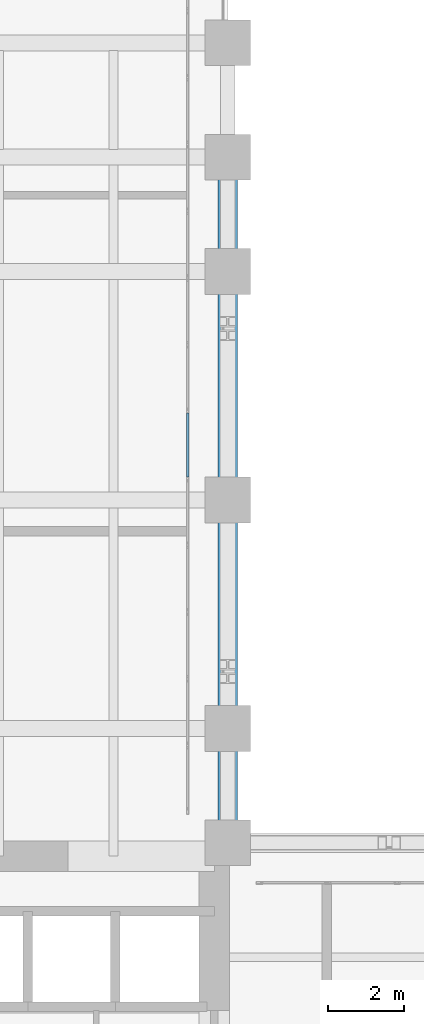
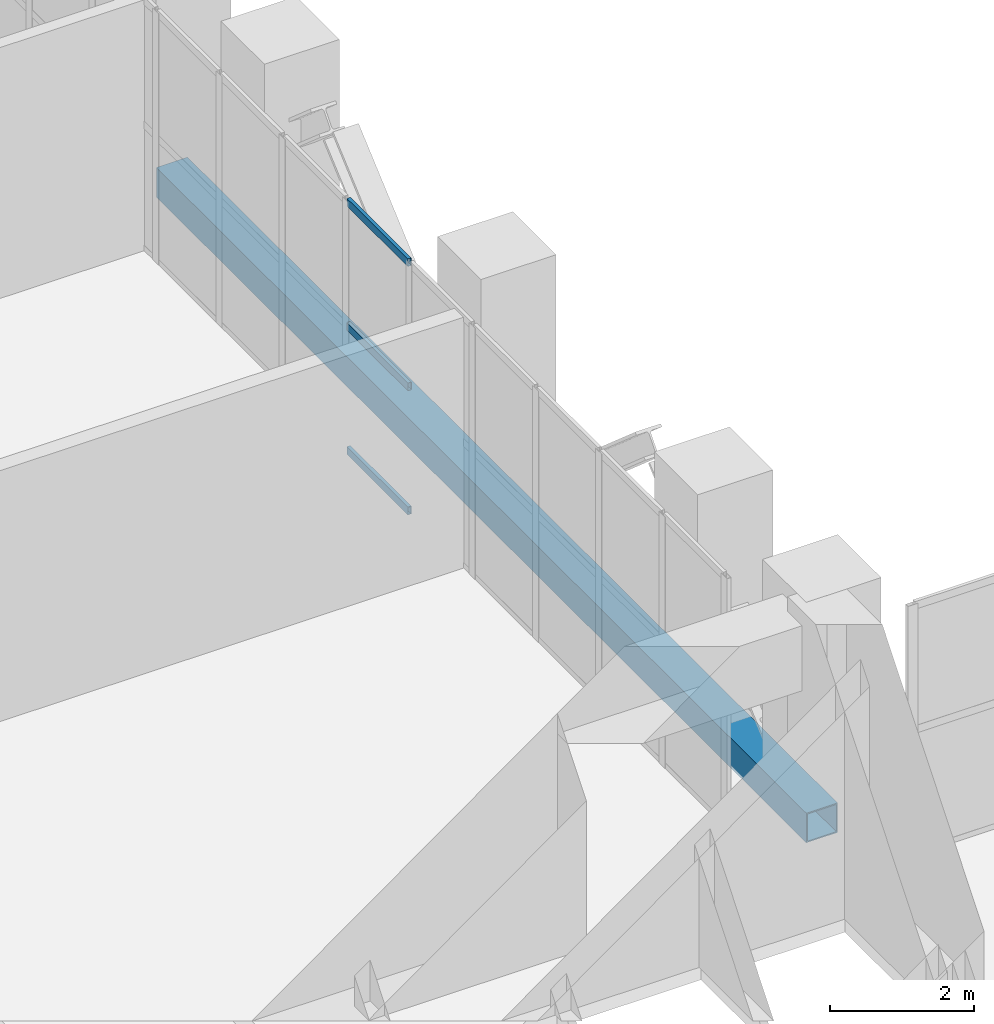
# One storey, part 10 of 27: 4 members, 1 element without a shape of its own.
"""IFC4 building model written with IfcOpenShell, lengths in metres."""

from ifc_helpers import new_model, si_unit, direction, frame, origin, origin_2d, place, context, subcontext, project, spatial, hollow_rectangle, extrude, material, layer, layer_set, material_profile, profile_set, type_object, element, aggregate, save


model = new_model("IFC4")

# Units and contexts
model_context = context("Model", 3, precision=1e-05, world=origin(), true_north=direction((0.0, 1.0)))
body_context = subcontext(model_context, "Body", "Model", "MODEL_VIEW")
ifc_project = project(units=[si_unit("LENGTHUNIT", "METRE"), si_unit("AREAUNIT", "SQUARE_METRE"), si_unit("VOLUMEUNIT", "CUBIC_METRE"), si_unit("PLANEANGLEUNIT", "RADIAN"), si_unit("MASSUNIT", "GRAM", prefix="KILO")], contexts=[model_context])

# Site, building, storey
site_placement = place(None, origin())
site = spatial("IfcSite", under=ifc_project, at=site_placement, CompositionType="ELEMENT")
building_placement = place(site_placement, origin())
building = spatial("IfcBuilding", under=site, at=building_placement, Name="Mawjdan Bourse Tower", CompositionType="ELEMENT")
storey_placement = place(building_placement, frame((0.0, 0.0, 84.60009765625)))
storey = spatial("IfcBuildingStorey", under=building, at=storey_placement, Name="L19", CompositionType="ELEMENT", Elevation=84.60009765625)

# Member
ifc_material_1 = material(Name="Structural Steel S460", Category="steel")
ifc_material_profile_1 = material_profile(ifc_material_1, hollow_rectangle(XDim=0.5, YDim=0.5, WallThickness=0.02001953125, at=origin_2d()), Name="HSS500X500X20")
ifc_profile_set_1 = profile_set([ifc_material_profile_1], Name="Structural Steel S460")
member_type_1 = type_object("IfcMemberType", Name="CHD-HSS500X500X20", PredefinedType="CHORD", material=ifc_profile_set_1)
member_1_placement = place(storey_placement, frame((24.0, 21.0, 0.199951171875), z_axis=(0.0, 1.0, 0.0), x_axis=(-1.0, 0.0, 0.0)))
element("IfcMember", 1, at=member_1_placement, inside=storey, type_object=member_type_1, Name="L19 North Wing Perimeter Belt Truss Bottom Chord", PredefinedType="CHORD", context=body_context, shape_type="SweptSolid", body=[
    extrude(hollow_rectangle(XDim=0.5, YDim=0.5, WallThickness=0.02001953125, at=origin_2d()), origin(), (0.0, 0.0, 1.0), 18.0),
])

# Curtain wall, members
ifc_material_2 = material(Name="Thermally Broken Aluminium and Solar Glass", Category="aluminium")
ifc_layer = layer(ifc_material_2, 0.219970703125)
ifc_layer_set = layer_set([ifc_layer], Name="Thermally Broken Aluminium and Solar Glass")
curtain_wall_type = type_object("IfcCurtainWallType", Name="CW-RFG", PredefinedType="USERDEFINED", material=ifc_layer_set)
curtain_wall_placement = place(storey_placement, origin())
curtain_wall = element("IfcCurtainWall", 2, at=curtain_wall_placement, inside=storey, type_object=curtain_wall_type, Name="L19 Refuge Band North-Wing Louvre Curtain Wall", ObjectType="REFUGE BAND LOUVRE SCREEN", PredefinedType="USERDEFINED")
ifc_material_3 = material(Name="Thermally Broken Anodised Aluminium", Category="aluminium")
ifc_material_profile_2 = material_profile(ifc_material_3, hollow_rectangle(XDim=0.054931640625, YDim=0.1298828125, WallThickness=0.00341796875, at=origin_2d()), Name="ALU-TRN-130X55")
ifc_profile_set_2 = profile_set([ifc_material_profile_2], Name="Thermally Broken Anodised Aluminium")
member_type_2 = type_object("IfcMemberType", Name="TRN-ALU-TRN-130X55", PredefinedType="USERDEFINED", material=ifc_profile_set_2)
member_2_placement = place(storey_placement, frame((22.949951171875, 30.59912109375, 0.02734375), z_axis=(0.0, 1.0, 0.0), x_axis=(-1.0, 0.0, 0.0)))
member_2 = element("IfcMember", 3, at=member_2_placement, type_object=member_type_2, Name="CW-RFG-L19-RFG-W transom 6.1", ObjectType="TRANSOM", PredefinedType="USERDEFINED", context=body_context, shape_type="SweptSolid", body=[
    extrude(hollow_rectangle(XDim=0.054931640625, YDim=0.1298828125, WallThickness=0.00341796875, at=origin_2d()), origin(), (0.0, 0.0, 1.0), 1.6884765625),
])
member_3_placement = place(storey_placement, frame((22.949951171875, 30.59912109375, 2.125), z_axis=(0.0, 1.0, 0.0), x_axis=(-1.0, 0.0, 0.0)))
member_3 = element("IfcMember", 4, at=member_3_placement, type_object=member_type_2, Name="CW-RFG-L19-RFG-W transom 6.2", ObjectType="TRANSOM", PredefinedType="USERDEFINED", context=body_context, shape_type="SweptSolid", body=[
    extrude(hollow_rectangle(XDim=0.054931640625, YDim=0.1298828125, WallThickness=0.00341796875, at=origin_2d()), origin(), (0.0, 0.0, 1.0), 1.6884765625),
])
member_4_placement = place(storey_placement, frame((22.949951171875, 30.59912109375, 4.222412109375), z_axis=(0.0, 1.0, 0.0), x_axis=(-1.0, 0.0, 0.0)))
member_4 = element("IfcMember", 5, at=member_4_placement, type_object=member_type_2, Name="CW-RFG-L19-RFG-W transom 6.3", ObjectType="TRANSOM", PredefinedType="USERDEFINED", context=body_context, shape_type="SweptSolid", body=[
    extrude(hollow_rectangle(XDim=0.054931640625, YDim=0.1298828125, WallThickness=0.00341796875, at=origin_2d()), origin(), (0.0, 0.0, 1.0), 1.6884765625),
])
aggregate(curtain_wall, [member_2, member_3, member_4])

save(model, "model.ifc")
